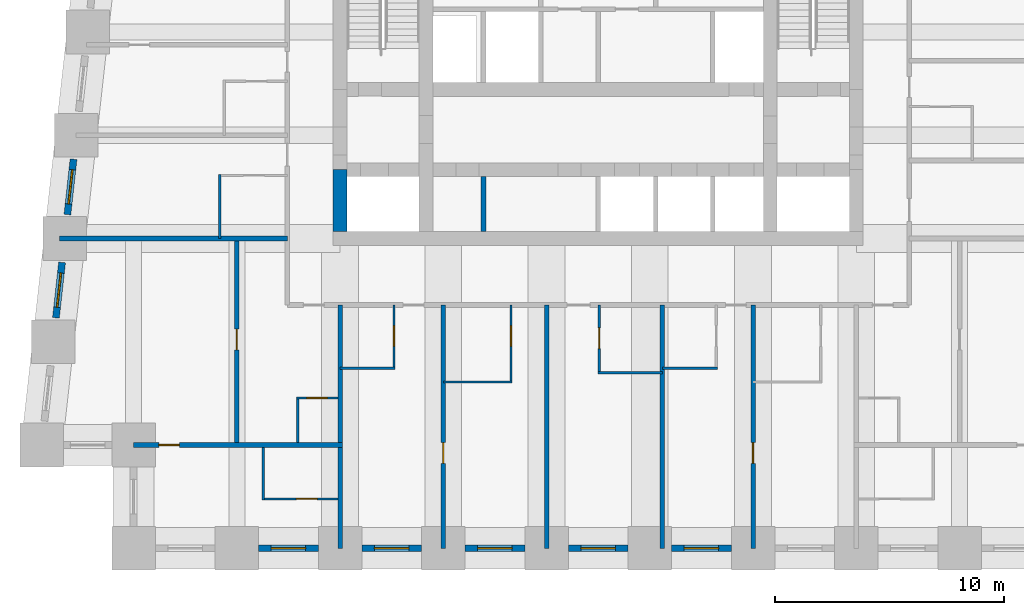
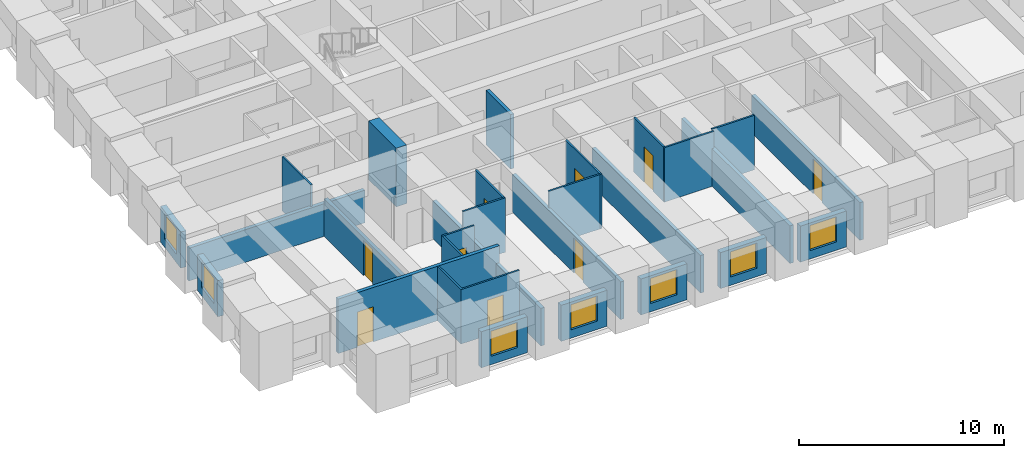
# One storey, part 2 of 8: 29 walls, 9 doors, 7 windows, 16 openings.
"""IFC4 building model written with IfcOpenShell, lengths in metres."""

from ifc_helpers import new_model, si_unit, direction, frame, frame_2d, origin, place, context, subcontext, project, spatial, rectangle, extrude, material, layer, layer_set, type_object, element, fill, save


model = new_model("IFC4")

# Units and contexts
model_context = context("Model", 3, precision=1e-05, world=origin(), true_north=direction((0.0, 1.0)))
body_context = subcontext(model_context, "Body", "Model", "MODEL_VIEW")
ifc_project = project(units=[si_unit("LENGTHUNIT", "METRE"), si_unit("AREAUNIT", "SQUARE_METRE"), si_unit("VOLUMEUNIT", "CUBIC_METRE"), si_unit("PLANEANGLEUNIT", "RADIAN"), si_unit("MASSUNIT", "GRAM", prefix="KILO")], contexts=[model_context])

# Site, building, storey
site_placement = place(None, origin())
site = spatial("IfcSite", under=ifc_project, at=site_placement, CompositionType="ELEMENT")
building_placement = place(site_placement, origin())
building = spatial("IfcBuilding", under=site, at=building_placement, Name="Kilele Tower Hotel", CompositionType="ELEMENT")
storey_placement = place(building_placement, frame((0.0, 0.0, 89.89990234375)))
storey = spatial("IfcBuildingStorey", under=building, at=storey_placement, Name="L22", CompositionType="ELEMENT", Elevation=89.89990234375)

# Wall
ifc_material_1 = material(Name="Moisture-resistant board")
ifc_layer_1 = layer(ifc_material_1, 0.10009765625)
ifc_layer_set_1 = layer_set([ifc_layer_1], Name="Moisture-resistant board")
wall_type_1 = type_object("IfcWallType", Name="Bathroom partition 100", PredefinedType="PLUMBINGWALL", material=ifc_layer_set_1)
wall_1_placement = place(storey_placement, frame((13.5, 7.85009765625, 0.0), z_axis=(0.0, 0.0, 1.0), x_axis=(1.0, 0.0, 0.0)))
element("IfcWall", 1, at=wall_1_placement, inside=storey, type_object=wall_type_1, Name="Bathroom partition 100 L22", PredefinedType="PLUMBINGWALL", context=body_context, shape_type="SweptSolid", body=[
    extrude(rectangle(XDim=2.39990234375, YDim=0.10009765625, at=frame_2d((1.199951171875, 0.0))), origin(), (0.0, 0.0, 1.0), 3.25),
])

# Wall, opening, door
wall_2_placement = place(storey_placement, frame((15.85009765625, 10.60009765625, 0.0), z_axis=(0.0, 0.0, 1.0), x_axis=(0.0, -1.0, 0.0)))
wall_2 = element("IfcWall", 2, at=wall_2_placement, inside=storey, type_object=wall_type_1, Name="Bathroom partition 100 L22", PredefinedType="PLUMBINGWALL", context=body_context, shape_type="SweptSolid", body=[
    extrude(rectangle(XDim=2.800048828125, YDim=0.10009765625, at=frame_2d((1.39990234375, 0.0))), origin(), (0.0, 0.0, 1.0), 3.25),
])
opening_1_placement = place(wall_2_placement, frame((0.89990234375, 0.0, 0.0)))
opening_1 = element("IfcOpeningElement", 3, at=opening_1_placement, cuts=wall_2, Name="Opening D2A", PredefinedType="OPENING", context=body_context, shape_type="SweptSolid", body=[
    extrude(rectangle(XDim=0.89990234375, YDim=2.10009765625, at=frame_2d((0.449951171875, 1.050048828125))), frame((0.0, 0.06005859375, 0.0), z_axis=(0.0, -1.0, 0.0), x_axis=(1.0, 0.0, 0.0)), (0.0, 0.0, 1.0), 0.1201171875),
])
ifc_material_2 = material(Name="Timber door leaf in hardwood frame", Category="wood")
door_type_1 = type_object("IfcDoorType", Name="Bathroom door 900", OperationType="SINGLE_SWING_LEFT", PredefinedType="DOOR", material=ifc_material_2)
door_1_placement = place(opening_1_placement, origin())
door_1 = element("IfcDoor", 4, at=door_1_placement, inside=storey, type_object=door_type_1, Name="Bathroom door 2201B", OperationType="SINGLE_SWING_LEFT", OverallHeight=2.10009765625, OverallWidth=0.89990234375, PredefinedType="DOOR", context=body_context, shape_type="SweptSolid", body=[
    extrude(rectangle(XDim=0.89990234375, YDim=2.10009765625, at=frame_2d((0.449951171875, 1.050048828125))), frame((0.0, 0.02490234375, 0.0), z_axis=(0.0, -1.0, 0.0), x_axis=(1.0, 0.0, 0.0)), (0.0, 0.0, 1.0), 0.050048828125),
])
fill(opening_1, door_1)

# Wall
wall_3_placement = place(storey_placement, frame((18.0, 7.25, 0.0), z_axis=(0.0, 0.0, 1.0), x_axis=(1.0, 0.0, 0.0)))
element("IfcWall", 5, at=wall_3_placement, inside=storey, type_object=wall_type_1, Name="Bathroom partition 100 L22", PredefinedType="PLUMBINGWALL", context=body_context, shape_type="SweptSolid", body=[
    extrude(rectangle(XDim=3.0, YDim=0.10009765625, at=frame_2d((1.5, 0.0))), origin(), (0.0, 0.0, 1.0), 3.25),
])

# Wall, opening, door
wall_4_placement = place(storey_placement, frame((20.949951171875, 10.60009765625, 0.0), z_axis=(0.0, 0.0, 1.0), x_axis=(0.0, -1.0, 0.0)))
wall_4 = element("IfcWall", 6, at=wall_4_placement, inside=storey, type_object=wall_type_1, Name="Bathroom partition 100 L22", PredefinedType="PLUMBINGWALL", context=body_context, shape_type="SweptSolid", body=[
    extrude(rectangle(XDim=3.400146484375, YDim=0.10009765625, at=frame_2d((1.7001953125, 0.0))), origin(), (0.0, 0.0, 1.0), 3.25),
])
opening_2_placement = place(wall_4_placement, frame((0.89990234375, 0.0, 0.0)))
opening_2 = element("IfcOpeningElement", 7, at=opening_2_placement, cuts=wall_4, Name="Opening D2A", PredefinedType="OPENING", context=body_context, shape_type="SweptSolid", body=[
    extrude(rectangle(XDim=0.89990234375, YDim=2.10009765625, at=frame_2d((0.449951171875, 1.050048828125))), frame((0.0, 0.06005859375, 0.0), z_axis=(0.0, -1.0, 0.0), x_axis=(1.0, 0.0, 0.0)), (0.0, 0.0, 1.0), 0.1201171875),
])
door_2_placement = place(opening_2_placement, origin())
door_2 = element("IfcDoor", 8, at=door_2_placement, inside=storey, type_object=door_type_1, Name="Bathroom door 2202B", OperationType="SINGLE_SWING_LEFT", OverallHeight=2.10009765625, OverallWidth=0.89990234375, PredefinedType="DOOR", context=body_context, shape_type="SweptSolid", body=[
    extrude(rectangle(XDim=0.89990234375, YDim=2.10009765625, at=frame_2d((0.449951171875, 1.050048828125))), frame((0.0, 0.02490234375, 0.0), z_axis=(0.0, -1.0, 0.0), x_axis=(1.0, 0.0, 0.0)), (0.0, 0.0, 1.0), 0.050048828125),
])
fill(opening_2, door_2)

# Wall
wall_5_placement = place(storey_placement, frame((24.75, 7.64990234375, 0.0), z_axis=(0.0, 0.0, 1.0), x_axis=(1.0, 0.0, 0.0)))
element("IfcWall", 9, at=wall_5_placement, inside=storey, type_object=wall_type_1, Name="Bathroom partition 100 L22", PredefinedType="PLUMBINGWALL", context=body_context, shape_type="SweptSolid", body=[
    extrude(rectangle(XDim=2.800048828125, YDim=0.10009765625, at=frame_2d((1.39990234375, 0.0))), origin(), (0.0, 0.0, 1.0), 3.25),
])

# Wall, opening, door
wall_6_placement = place(storey_placement, frame((24.800048828125, 10.60009765625, 0.0), z_axis=(0.0, 0.0, 1.0), x_axis=(0.0, -1.0, 0.0)))
wall_6 = element("IfcWall", 10, at=wall_6_placement, inside=storey, type_object=wall_type_1, Name="Bathroom partition 100 L22", PredefinedType="PLUMBINGWALL", context=body_context, shape_type="SweptSolid", body=[
    extrude(rectangle(XDim=3.0, YDim=0.10009765625, at=frame_2d((1.5, 0.0))), origin(), (0.0, 0.0, 1.0), 3.25),
])
opening_3_placement = place(wall_6_placement, frame((1.89990234375, 0.0, 0.0), z_axis=(0.0, 0.0, 1.0), x_axis=(-1.0, 0.0, 0.0)))
opening_3 = element("IfcOpeningElement", 11, at=opening_3_placement, cuts=wall_6, Name="Opening D2A", PredefinedType="OPENING", context=body_context, shape_type="SweptSolid", body=[
    extrude(rectangle(XDim=0.89990234375, YDim=2.10009765625, at=frame_2d((0.449951171875, 1.050048828125))), frame((0.0, 0.06005859375, 0.0), z_axis=(0.0, -1.0, 0.0), x_axis=(1.0, 0.0, 0.0)), (0.0, 0.0, 1.0), 0.1201171875),
])
door_3_placement = place(opening_3_placement, origin())
door_3 = element("IfcDoor", 12, at=door_3_placement, inside=storey, type_object=door_type_1, Name="Bathroom door 2203B", OperationType="SINGLE_SWING_RIGHT", OverallHeight=2.10009765625, OverallWidth=0.89990234375, PredefinedType="DOOR", context=body_context, shape_type="SweptSolid", body=[
    extrude(rectangle(XDim=0.89990234375, YDim=2.10009765625, at=frame_2d((0.449951171875, 1.050048828125))), frame((0.0, 0.02490234375, 0.0), z_axis=(0.0, -1.0, 0.0), x_axis=(1.0, 0.0, 0.0)), (0.0, 0.0, 1.0), 0.050048828125),
])
fill(opening_3, door_3)

# Walls
wall_7_placement = place(storey_placement, frame((27.550048828125, 7.85009765625, 0.0), z_axis=(0.0, 0.0, 1.0), x_axis=(1.0, 0.0, 0.0)))
element("IfcWall", 13, at=wall_7_placement, inside=storey, type_object=wall_type_1, Name="Bathroom partition 100 L22", PredefinedType="PLUMBINGWALL", context=body_context, shape_type="SweptSolid", body=[
    extrude(rectangle(XDim=2.39990234375, YDim=0.10009765625, at=frame_2d((1.199951171875, 0.0))), origin(), (0.0, 0.0, 1.0), 3.25),
])
wall_8_placement = place(storey_placement, frame((8.25, 13.5, 0.0), z_axis=(0.0, 0.0, 1.0), x_axis=(0.0, 1.0, 0.0)))
element("IfcWall", 14, at=wall_8_placement, inside=storey, type_object=wall_type_1, Name="Bathroom partition 100 L22", PredefinedType="PLUMBINGWALL", context=body_context, shape_type="SweptSolid", body=[
    extrude(rectangle(XDim=2.800048828125, YDim=0.10009765625, at=frame_2d((1.39990234375, 0.0))), origin(), (0.0, 0.0, 1.0), 3.25),
])
wall_9_placement = place(storey_placement, frame((11.64990234375, 4.60009765625, 0.0), z_axis=(0.0, 0.0, 1.0), x_axis=(0.0, 1.0, 0.0)))
element("IfcWall", 15, at=wall_9_placement, inside=storey, type_object=wall_type_1, Name="Bathroom partition 100 L22", PredefinedType="PLUMBINGWALL", context=body_context, shape_type="SweptSolid", body=[
    extrude(rectangle(XDim=2.0, YDim=0.10009765625, at=frame_2d((1.0, 0.0))), origin(), (0.0, 0.0, 1.0), 3.25),
])

# Wall, opening, door
wall_10_placement = place(storey_placement, frame((13.39990234375, 6.550048828125, 0.0), z_axis=(0.0, 0.0, 1.0), x_axis=(-1.0, 0.0, 0.0)))
wall_10 = element("IfcWall", 16, at=wall_10_placement, inside=storey, type_object=wall_type_1, Name="Bathroom partition 100 L22", PredefinedType="PLUMBINGWALL", context=body_context, shape_type="SweptSolid", body=[
    extrude(rectangle(XDim=1.7998046875, YDim=0.10009765625, at=frame_2d((0.89990234375, 0.0))), origin(), (0.0, 0.0, 1.0), 3.25),
])
opening_4_placement = place(wall_10_placement, frame((1.349853515625, 0.0, 0.0), z_axis=(0.0, 0.0, 1.0), x_axis=(-1.0, 0.0, 0.0)))
opening_4 = element("IfcOpeningElement", 17, at=opening_4_placement, cuts=wall_10, Name="Opening D2A", PredefinedType="OPENING", context=body_context, shape_type="SweptSolid", body=[
    extrude(rectangle(XDim=0.89990234375, YDim=2.10009765625, at=frame_2d((0.449951171875, 1.050048828125))), frame((0.0, 0.06005859375, 0.0), z_axis=(0.0, -1.0, 0.0), x_axis=(1.0, 0.0, 0.0)), (0.0, 0.0, 1.0), 0.1201171875),
])
door_4_placement = place(opening_4_placement, origin())
door_4 = element("IfcDoor", 18, at=door_4_placement, inside=storey, type_object=door_type_1, Name="Bathroom door 2217P", OperationType="SINGLE_SWING_RIGHT", OverallHeight=2.10009765625, OverallWidth=0.89990234375, PredefinedType="DOOR", context=body_context, shape_type="SweptSolid", body=[
    extrude(rectangle(XDim=0.89990234375, YDim=2.10009765625, at=frame_2d((0.449951171875, 1.050048828125))), frame((0.0, 0.02490234375, 0.0), z_axis=(0.0, -1.0, 0.0), x_axis=(1.0, 0.0, 0.0)), (0.0, 0.0, 1.0), 0.050048828125),
])
fill(opening_4, door_4)

# Wall
wall_11_placement = place(storey_placement, frame((10.14990234375, 4.39990234375, 0.0), z_axis=(0.0, 0.0, 1.0), x_axis=(0.0, -1.0, 0.0)))
element("IfcWall", 19, at=wall_11_placement, inside=storey, type_object=wall_type_1, Name="Bathroom partition 100 L22", PredefinedType="PLUMBINGWALL", context=body_context, shape_type="SweptSolid", body=[
    extrude(rectangle(XDim=2.2998046875, YDim=0.10009765625, at=frame_2d((1.14990234375, 0.0))), origin(), (0.0, 0.0, 1.0), 3.25),
])

# Wall, opening, door
wall_12_placement = place(storey_placement, frame((13.39990234375, 2.14990234375, 0.0), z_axis=(0.0, 0.0, 1.0), x_axis=(-1.0, 0.0, 0.0)))
wall_12 = element("IfcWall", 20, at=wall_12_placement, inside=storey, type_object=wall_type_1, Name="Bathroom partition 100 L22", PredefinedType="PLUMBINGWALL", context=body_context, shape_type="SweptSolid", body=[
    extrude(rectangle(XDim=3.2998046875, YDim=0.10009765625, at=frame_2d((1.64990234375, 0.0))), origin(), (0.0, 0.0, 1.0), 3.25),
])
opening_5_placement = place(wall_12_placement, frame((0.89990234375, 0.0, 0.0)))
opening_5 = element("IfcOpeningElement", 21, at=opening_5_placement, cuts=wall_12, Name="Opening D2A", PredefinedType="OPENING", context=body_context, shape_type="SweptSolid", body=[
    extrude(rectangle(XDim=0.89990234375, YDim=2.10009765625, at=frame_2d((0.449951171875, 1.050048828125))), frame((0.0, 0.06005859375, 0.0), z_axis=(0.0, -1.0, 0.0), x_axis=(1.0, 0.0, 0.0)), (0.0, 0.0, 1.0), 0.1201171875),
])
door_5_placement = place(opening_5_placement, origin())
door_5 = element("IfcDoor", 22, at=door_5_placement, inside=storey, type_object=door_type_1, Name="Bathroom door 2219B", OperationType="SINGLE_SWING_LEFT", OverallHeight=2.10009765625, OverallWidth=0.89990234375, PredefinedType="DOOR", context=body_context, shape_type="SweptSolid", body=[
    extrude(rectangle(XDim=0.89990234375, YDim=2.10009765625, at=frame_2d((0.449951171875, 1.050048828125))), frame((0.0, 0.02490234375, 0.0), z_axis=(0.0, -1.0, 0.0), x_axis=(1.0, 0.0, 0.0)), (0.0, 0.0, 1.0), 0.050048828125),
])
fill(opening_5, door_5)

# Wall
ifc_material_3 = material(Name="Concrete C60/75", Category="concrete")
ifc_layer_2 = layer(ifc_material_3, 0.60009765625)
ifc_layer_set_2 = layer_set([ifc_layer_2], Name="Concrete C60/75")
wall_type_2 = type_object("IfcWallType", Name="Core wall 600 C60/75", PredefinedType="SHEAR", material=ifc_layer_set_2)
wall_13_placement = place(storey_placement, frame((13.5, 16.5, 0.0), z_axis=(0.0, 0.0, 1.0), x_axis=(0.0, -1.0, 0.0)))
element("IfcWall", 23, at=wall_13_placement, inside=storey, type_object=wall_type_2, Name="Core wall W3 L22", PredefinedType="SHEAR", context=body_context, shape_type="SweptSolid", body=[
    extrude(rectangle(XDim=2.699951171875, YDim=0.60009765625, at=frame_2d((1.35009765625, 0.0))), origin(), (0.0, 0.0, 1.0), 3.5),
])

# Wall, opening, door
ifc_material_4 = material(Name="Blockwork, plastered both sides", Category="masonry")
ifc_layer_3 = layer(ifc_material_4, 0.199951171875)
ifc_layer_set_3 = layer_set([ifc_layer_3], Name="Blockwork, plastered both sides")
wall_type_3 = type_object("IfcWallType", Name="Partition wall 200", PredefinedType="PARTITIONING", material=ifc_layer_set_3)
wall_14_placement = place(storey_placement, frame((9.0, 4.60009765625, 0.0), z_axis=(0.0, 0.0, 1.0), x_axis=(0.0, 1.0, 0.0)))
wall_14 = element("IfcWall", 24, at=wall_14_placement, inside=storey, type_object=wall_type_3, Name="Partition wall 200 L22", PredefinedType="PARTITIONING", context=body_context, shape_type="SweptSolid", body=[
    extrude(rectangle(XDim=8.7998046875, YDim=0.199951171875, at=frame_2d((4.39990234375, 0.0))), origin(), (0.0, 0.0, 1.0), 2.25),
])
opening_6_placement = place(wall_14_placement, frame((4.050048828125, 0.0, 0.0)))
opening_6 = element("IfcOpeningElement", 25, at=opening_6_placement, cuts=wall_14, Name="Opening D3", PredefinedType="OPENING", context=body_context, shape_type="SweptSolid", body=[
    extrude(rectangle(XDim=0.89990234375, YDim=2.10009765625, at=frame_2d((0.449951171875, 1.050048828125))), frame((0.0, 0.10986328125, 0.0), z_axis=(0.0, -1.0, 0.0), x_axis=(1.0, 0.0, 0.0)), (0.0, 0.0, 1.0), 0.219970703125),
])
ifc_material_5 = material(Name="Timber door leaf in hardwood frame", Category="wood")
door_type_2 = type_object("IfcDoorType", Name="Suite internal door 900", OperationType="SINGLE_SWING_LEFT", PredefinedType="DOOR", material=ifc_material_5)
door_6_placement = place(opening_6_placement, origin())
door_6 = element("IfcDoor", 26, at=door_6_placement, inside=storey, type_object=door_type_2, Name="Suite door 2218", OperationType="SINGLE_SWING_RIGHT", OverallHeight=2.10009765625, OverallWidth=0.89990234375, PredefinedType="DOOR", context=body_context, shape_type="SweptSolid", body=[
    extrude(rectangle(XDim=0.89990234375, YDim=2.10009765625, at=frame_2d((0.449951171875, 1.050048828125))), frame((0.0, 0.02490234375, 0.0), z_axis=(0.0, -1.0, 0.0), x_axis=(1.0, 0.0, 0.0)), (0.0, 0.0, 1.0), 0.050048828125),
])
fill(opening_6, door_6)

ifc_material_6 = material(Name="Blockwork, plastered both sides", Category="masonry")
ifc_layer_4 = layer(ifc_material_6, 0.199951171875)
ifc_layer_set_4 = layer_set([ifc_layer_4], Name="Blockwork, plastered both sides")
wall_type_4 = type_object("IfcWallType", Name="Party wall 200", PredefinedType="PARTITIONING", material=ifc_layer_set_4)
wall_15_placement = place(storey_placement, frame((18.0, 10.60009765625, 0.0), z_axis=(0.0, 0.0, 1.0), x_axis=(0.0, -1.0, 0.0)))
wall_15 = element("IfcWall", 27, at=wall_15_placement, inside=storey, type_object=wall_type_4, Name="Party wall 200 L22", PredefinedType="PARTITIONING", context=body_context, shape_type="SweptSolid", body=[
    extrude(rectangle(XDim=10.60009765625, YDim=0.199951171875, at=frame_2d((5.300048828125, 0.0))), origin(), (0.0, 0.0, 1.0), 2.25),
])
opening_7_placement = place(wall_15_placement, frame((6.0, 0.0, 0.0)))
opening_7 = element("IfcOpeningElement", 28, at=opening_7_placement, cuts=wall_15, Name="Opening D3", PredefinedType="OPENING", context=body_context, shape_type="SweptSolid", body=[
    extrude(rectangle(XDim=0.89990234375, YDim=2.10009765625, at=frame_2d((0.449951171875, 1.050048828125))), frame((0.0, 0.10986328125, 0.0), z_axis=(0.0, -1.0, 0.0), x_axis=(1.0, 0.0, 0.0)), (0.0, 0.0, 1.0), 0.219970703125),
])
door_7_placement = place(opening_7_placement, origin())
door_7 = element("IfcDoor", 29, at=door_7_placement, inside=storey, type_object=door_type_2, Name="Suite door 2202", OperationType="SINGLE_SWING_RIGHT", OverallHeight=2.10009765625, OverallWidth=0.89990234375, PredefinedType="DOOR", context=body_context, shape_type="SweptSolid", body=[
    extrude(rectangle(XDim=0.89990234375, YDim=2.10009765625, at=frame_2d((0.449951171875, 1.050048828125))), frame((0.0, 0.02490234375, 0.0), z_axis=(0.0, -1.0, 0.0), x_axis=(1.0, 0.0, 0.0)), (0.0, 0.0, 1.0), 0.050048828125),
])
fill(opening_7, door_7)

# Walls
for number, where, z_axis, x_axis, name in (
    (30, (22.5, 10.60009765625, 0.0), (0.0, 0.0, 1.0), (0.0, -1.0, 0.0), "Party wall 200 L22"),
    (31, (27.550048828125, 10.60009765625, 0.0), (0.0, 0.0, 1.0), (0.0, -1.0, 0.0), "Party wall 200 L22"),
):
    element("IfcWall", number, at=place(storey_placement, frame(where, z_axis=z_axis, x_axis=x_axis)), inside=storey, type_object=wall_type_4, Name=name, PredefinedType="PARTITIONING", context=body_context, shape_type="SweptSolid", body=[
        extrude(rectangle(XDim=10.60009765625, YDim=0.199951171875, at=frame_2d((5.300048828125, 0.0))), origin(), (0.0, 0.0, 1.0), 2.25),
    ])

# Wall, opening, door
wall_16_placement = place(storey_placement, frame((31.5, 10.60009765625, 0.0), z_axis=(0.0, 0.0, 1.0), x_axis=(0.0, -1.0, 0.0)))
wall_16 = element("IfcWall", 32, at=wall_16_placement, inside=storey, type_object=wall_type_4, Name="Party wall 200 L22", PredefinedType="PARTITIONING", context=body_context, shape_type="SweptSolid", body=[
    extrude(rectangle(XDim=10.60009765625, YDim=0.199951171875, at=frame_2d((5.300048828125, 0.0))), origin(), (0.0, 0.0, 1.0), 2.25),
])
opening_8_placement = place(wall_16_placement, frame((6.0, 0.0, 0.0)))
opening_8 = element("IfcOpeningElement", 33, at=opening_8_placement, cuts=wall_16, Name="Opening D3", PredefinedType="OPENING", context=body_context, shape_type="SweptSolid", body=[
    extrude(rectangle(XDim=0.89990234375, YDim=2.10009765625, at=frame_2d((0.449951171875, 1.050048828125))), frame((0.0, 0.10986328125, 0.0), z_axis=(0.0, -1.0, 0.0), x_axis=(1.0, 0.0, 0.0)), (0.0, 0.0, 1.0), 0.219970703125),
])
door_8_placement = place(opening_8_placement, origin())
door_8 = element("IfcDoor", 34, at=door_8_placement, inside=storey, type_object=door_type_2, Name="Suite door 2205", OperationType="SINGLE_SWING_RIGHT", OverallHeight=2.10009765625, OverallWidth=0.89990234375, PredefinedType="DOOR", context=body_context, shape_type="SweptSolid", body=[
    extrude(rectangle(XDim=0.89990234375, YDim=2.10009765625, at=frame_2d((0.449951171875, 1.050048828125))), frame((0.0, 0.02490234375, 0.0), z_axis=(0.0, -1.0, 0.0), x_axis=(1.0, 0.0, 0.0)), (0.0, 0.0, 1.0), 0.050048828125),
])
fill(opening_8, door_8)

# Walls
wall_17_placement = place(storey_placement, frame((11.199951171875, 13.5, 0.0), z_axis=(0.0, 0.0, 1.0), x_axis=(-1.0, 0.0, 0.0)))
element("IfcWall", 35, at=wall_17_placement, inside=storey, type_object=wall_type_4, Name="Party wall 200 L22", PredefinedType="PARTITIONING", context=body_context, shape_type="SweptSolid", body=[
    extrude(rectangle(XDim=9.921142578125, YDim=0.199951171875, at=frame_2d((4.96044921875, 0.0))), origin(), (0.0, 0.0, 1.0), 1.9501953125),
])
wall_18_placement = place(storey_placement, frame((13.5, 10.60009765625, 0.0), z_axis=(0.0, 0.0, 1.0), x_axis=(0.0, -1.0, 0.0)))
element("IfcWall", 36, at=wall_18_placement, inside=storey, type_object=wall_type_4, Name="Party wall 200 L22", PredefinedType="PARTITIONING", context=body_context, shape_type="SweptSolid", body=[
    extrude(rectangle(XDim=10.60009765625, YDim=0.199951171875, at=frame_2d((5.300048828125, 0.0))), origin(), (0.0, 0.0, 1.0), 2.25),
])

# Wall, opening, door
wall_19_placement = place(storey_placement, frame((13.60009765625, 4.5, 0.0), z_axis=(0.0, 0.0, 1.0), x_axis=(-1.0, 0.0, 0.0)))
wall_19 = element("IfcWall", 37, at=wall_19_placement, inside=storey, type_object=wall_type_4, Name="Party wall 200 L22", PredefinedType="PARTITIONING", context=body_context, shape_type="SweptSolid", body=[
    extrude(rectangle(XDim=9.10009765625, YDim=0.199951171875, at=frame_2d((4.550048828125, 0.0))), origin(), (0.0, 0.0, 1.0), 3.25),
])
opening_9_placement = place(wall_19_placement, frame((7.10009765625, 0.0, 0.0)))
opening_9 = element("IfcOpeningElement", 38, at=opening_9_placement, cuts=wall_19, Name="Opening D3", PredefinedType="OPENING", context=body_context, shape_type="SweptSolid", body=[
    extrude(rectangle(XDim=0.89990234375, YDim=2.10009765625, at=frame_2d((0.449951171875, 1.050048828125))), frame((0.0, 0.10986328125, 0.0), z_axis=(0.0, -1.0, 0.0), x_axis=(1.0, 0.0, 0.0)), (0.0, 0.0, 1.0), 0.219970703125),
])
door_9_placement = place(opening_9_placement, origin())
door_9 = element("IfcDoor", 39, at=door_9_placement, inside=storey, type_object=door_type_2, Name="Suite door 2219", OperationType="SINGLE_SWING_RIGHT", OverallHeight=2.10009765625, OverallWidth=0.89990234375, PredefinedType="DOOR", context=body_context, shape_type="SweptSolid", body=[
    extrude(rectangle(XDim=0.89990234375, YDim=2.10009765625, at=frame_2d((0.449951171875, 1.050048828125))), frame((0.0, 0.02490234375, 0.0), z_axis=(0.0, -1.0, 0.0), x_axis=(1.0, 0.0, 0.0)), (0.0, 0.0, 1.0), 0.050048828125),
])
fill(opening_9, door_9)

# Wall, opening, window
ifc_material_7 = material(Name="Concrete C40/50 precast", Category="concrete")
ifc_layer_5 = layer(ifc_material_7, 0.260009765625, Name="Precast backing", Category="LoadBearing")
ifc_material_8 = material(Name="Reconstituted stone finish", Category="masonry")
ifc_layer_6 = layer(ifc_material_8, 0.0400390625, Name="Face mix", Category="Finish")
ifc_layer_set_5 = layer_set([ifc_layer_5, ifc_layer_6], Name="Precast concrete C40/50, reconstituted stone finish")
wall_type_5 = type_object("IfcWallType", Name="Precast stone facade wall 300", PredefinedType="STANDARD", material=ifc_layer_set_5)
wall_20_placement = place(storey_placement, frame((9.949951171875, 0.0, 0.0), z_axis=(0.0, 0.0, 1.0), x_axis=(1.0, 0.0, 0.0)))
wall_20 = element("IfcWall", 40, at=wall_20_placement, inside=storey, type_object=wall_type_5, Name="Facade wall L22 edge 3 bay 2", PredefinedType="STANDARD", context=body_context, shape_type="SweptSolid", body=[
    extrude(rectangle(XDim=2.60009765625, YDim=0.300048828125, at=frame_2d((1.300048828125, 0.0))), origin(), (0.0, 0.0, 1.0), 2.150146484375),
])
opening_10_placement = place(wall_20_placement, frame((0.550048828125, 0.0, 0.5)))
opening_10 = element("IfcOpeningElement", 41, at=opening_10_placement, cuts=wall_20, Name="Opening W2", PredefinedType="OPENING", context=body_context, shape_type="SweptSolid", body=[
    extrude(rectangle(XDim=1.5, YDim=1.5, at=frame_2d((0.75, 0.75))), frame((0.0, 0.159912109375, 0.0), z_axis=(0.0, -1.0, 0.0), x_axis=(1.0, 0.0, 0.0)), (0.0, 0.0, 1.0), 0.320068359375),
])
ifc_material_9 = material(Name="Aluminium frame, clear double glazing", Category="aluminium")
window_type = type_object("IfcWindowType", Name="Window W2 1500 x 1500", PartitioningType="SINGLE_PANEL", PredefinedType="WINDOW", material=ifc_material_9)
window_1_placement = place(opening_10_placement, origin())
window_1 = element("IfcWindow", 42, at=window_1_placement, inside=storey, type_object=window_type, Name="Window L22", OverallHeight=1.5, OverallWidth=1.5, PartitioningType="SINGLE_PANEL", PredefinedType="WINDOW", context=body_context, shape_type="SweptSolid", body=[
    extrude(rectangle(XDim=1.5, YDim=1.5, at=frame_2d((0.75, 0.75))), frame((0.0, 0.030029296875, 0.0), z_axis=(0.0, -1.0, 0.0), x_axis=(1.0, 0.0, 0.0)), (0.0, 0.0, 1.0), 0.06005859375),
])
fill(opening_10, window_1)

wall_21_placement = place(storey_placement, frame((14.449951171875, 0.0, 0.0), z_axis=(0.0, 0.0, 1.0), x_axis=(1.0, 0.0, 0.0)))
wall_21 = element("IfcWall", 43, at=wall_21_placement, inside=storey, type_object=wall_type_5, Name="Facade wall L22 edge 3 bay 3", PredefinedType="STANDARD", context=body_context, shape_type="SweptSolid", body=[
    extrude(rectangle(XDim=2.60009765625, YDim=0.300048828125, at=frame_2d((1.300048828125, 0.0))), origin(), (0.0, 0.0, 1.0), 2.150146484375),
])
opening_11_placement = place(wall_21_placement, frame((0.550048828125, 0.0, 0.5)))
opening_11 = element("IfcOpeningElement", 44, at=opening_11_placement, cuts=wall_21, Name="Opening W2", PredefinedType="OPENING", context=body_context, shape_type="SweptSolid", body=[
    extrude(rectangle(XDim=1.5, YDim=1.5, at=frame_2d((0.75, 0.75))), frame((0.0, 0.159912109375, 0.0), z_axis=(0.0, -1.0, 0.0), x_axis=(1.0, 0.0, 0.0)), (0.0, 0.0, 1.0), 0.320068359375),
])
window_2_placement = place(opening_11_placement, origin())
window_2 = element("IfcWindow", 45, at=window_2_placement, inside=storey, type_object=window_type, Name="Window L22", OverallHeight=1.5, OverallWidth=1.5, PartitioningType="SINGLE_PANEL", PredefinedType="WINDOW", context=body_context, shape_type="SweptSolid", body=[
    extrude(rectangle(XDim=1.5, YDim=1.5, at=frame_2d((0.75, 0.75))), frame((0.0, 0.030029296875, 0.0), z_axis=(0.0, -1.0, 0.0), x_axis=(1.0, 0.0, 0.0)), (0.0, 0.0, 1.0), 0.06005859375),
])
fill(opening_11, window_2)

wall_22_placement = place(storey_placement, frame((18.949951171875, 0.0, 0.0), z_axis=(0.0, 0.0, 1.0), x_axis=(1.0, 0.0, 0.0)))
wall_22 = element("IfcWall", 46, at=wall_22_placement, inside=storey, type_object=wall_type_5, Name="Facade wall L22 edge 3 bay 4", PredefinedType="STANDARD", context=body_context, shape_type="SweptSolid", body=[
    extrude(rectangle(XDim=2.60009765625, YDim=0.300048828125, at=frame_2d((1.300048828125, 0.0))), origin(), (0.0, 0.0, 1.0), 2.150146484375),
])
opening_12_placement = place(wall_22_placement, frame((0.550048828125, 0.0, 0.5)))
opening_12 = element("IfcOpeningElement", 47, at=opening_12_placement, cuts=wall_22, Name="Opening W2", PredefinedType="OPENING", context=body_context, shape_type="SweptSolid", body=[
    extrude(rectangle(XDim=1.5, YDim=1.5, at=frame_2d((0.75, 0.75))), frame((0.0, 0.159912109375, 0.0), z_axis=(0.0, -1.0, 0.0), x_axis=(1.0, 0.0, 0.0)), (0.0, 0.0, 1.0), 0.320068359375),
])
window_3_placement = place(opening_12_placement, origin())
window_3 = element("IfcWindow", 48, at=window_3_placement, inside=storey, type_object=window_type, Name="Window L22", OverallHeight=1.5, OverallWidth=1.5, PartitioningType="SINGLE_PANEL", PredefinedType="WINDOW", context=body_context, shape_type="SweptSolid", body=[
    extrude(rectangle(XDim=1.5, YDim=1.5, at=frame_2d((0.75, 0.75))), frame((0.0, 0.030029296875, 0.0), z_axis=(0.0, -1.0, 0.0), x_axis=(1.0, 0.0, 0.0)), (0.0, 0.0, 1.0), 0.06005859375),
])
fill(opening_12, window_3)

wall_23_placement = place(storey_placement, frame((23.449951171875, 0.0, 0.0), z_axis=(0.0, 0.0, 1.0), x_axis=(1.0, 0.0, 0.0)))
wall_23 = element("IfcWall", 49, at=wall_23_placement, inside=storey, type_object=wall_type_5, Name="Facade wall L22 edge 3 bay 5", PredefinedType="STANDARD", context=body_context, shape_type="SweptSolid", body=[
    extrude(rectangle(XDim=2.60009765625, YDim=0.300048828125, at=frame_2d((1.300048828125, 0.0))), origin(), (0.0, 0.0, 1.0), 2.150146484375),
])
opening_13_placement = place(wall_23_placement, frame((0.550048828125, 0.0, 0.5)))
opening_13 = element("IfcOpeningElement", 50, at=opening_13_placement, cuts=wall_23, Name="Opening W2", PredefinedType="OPENING", context=body_context, shape_type="SweptSolid", body=[
    extrude(rectangle(XDim=1.5, YDim=1.5, at=frame_2d((0.75, 0.75))), frame((0.0, 0.159912109375, 0.0), z_axis=(0.0, -1.0, 0.0), x_axis=(1.0, 0.0, 0.0)), (0.0, 0.0, 1.0), 0.320068359375),
])
window_4_placement = place(opening_13_placement, origin())
window_4 = element("IfcWindow", 51, at=window_4_placement, inside=storey, type_object=window_type, Name="Window L22", OverallHeight=1.5, OverallWidth=1.5, PartitioningType="SINGLE_PANEL", PredefinedType="WINDOW", context=body_context, shape_type="SweptSolid", body=[
    extrude(rectangle(XDim=1.5, YDim=1.5, at=frame_2d((0.75, 0.75))), frame((0.0, 0.030029296875, 0.0), z_axis=(0.0, -1.0, 0.0), x_axis=(1.0, 0.0, 0.0)), (0.0, 0.0, 1.0), 0.06005859375),
])
fill(opening_13, window_4)

wall_24_placement = place(storey_placement, frame((27.949951171875, 0.0, 0.0), z_axis=(0.0, 0.0, 1.0), x_axis=(1.0, 0.0, 0.0)))
wall_24 = element("IfcWall", 52, at=wall_24_placement, inside=storey, type_object=wall_type_5, Name="Facade wall L22 edge 3 bay 6", PredefinedType="STANDARD", context=body_context, shape_type="SweptSolid", body=[
    extrude(rectangle(XDim=2.60009765625, YDim=0.300048828125, at=frame_2d((1.300048828125, 0.0))), origin(), (0.0, 0.0, 1.0), 2.150146484375),
])
opening_14_placement = place(wall_24_placement, frame((0.550048828125, 0.0, 0.5)))
opening_14 = element("IfcOpeningElement", 53, at=opening_14_placement, cuts=wall_24, Name="Opening W2", PredefinedType="OPENING", context=body_context, shape_type="SweptSolid", body=[
    extrude(rectangle(XDim=1.5, YDim=1.5, at=frame_2d((0.75, 0.75))), frame((0.0, 0.159912109375, 0.0), z_axis=(0.0, -1.0, 0.0), x_axis=(1.0, 0.0, 0.0)), (0.0, 0.0, 1.0), 0.320068359375),
])
window_5_placement = place(opening_14_placement, origin())
window_5 = element("IfcWindow", 54, at=window_5_placement, inside=storey, type_object=window_type, Name="Window L22", OverallHeight=1.5, OverallWidth=1.5, PartitioningType="SINGLE_PANEL", PredefinedType="WINDOW", context=body_context, shape_type="SweptSolid", body=[
    extrude(rectangle(XDim=1.5, YDim=1.5, at=frame_2d((0.75, 0.75))), frame((0.0, 0.030029296875, 0.0), z_axis=(0.0, -1.0, 0.0), x_axis=(1.0, 0.0, 0.0)), (0.0, 0.0, 1.0), 0.06005859375),
])
fill(opening_14, window_5)

wall_25_placement = place(storey_placement, frame((1.884033203125, 16.957275390625, 0.0), z_axis=(0.0, 0.0, 1.0), x_axis=(-0.110343286306, -0.993893535127, 0.0)))
wall_25 = element("IfcWall", 55, at=wall_25_placement, inside=storey, type_object=wall_type_5, Name="Facade wall L22 edge 12 bay 5", PredefinedType="STANDARD", context=body_context, shape_type="SweptSolid", body=[
    extrude(rectangle(XDim=2.429443359375, YDim=0.300048828125, at=frame_2d((1.21484375, 0.0))), origin(), (0.0, 0.0, 1.0), 2.150146484375),
])
opening_15_placement = place(wall_25_placement, frame((0.465087890625, 0.0, 0.5)))
opening_15 = element("IfcOpeningElement", 56, at=opening_15_placement, cuts=wall_25, Name="Opening W2", PredefinedType="OPENING", context=body_context, shape_type="SweptSolid", body=[
    extrude(rectangle(XDim=1.5, YDim=1.5, at=frame_2d((0.75, 0.75))), frame((0.0, 0.159912109375, 0.0), z_axis=(0.0, -1.0, 0.0), x_axis=(1.0, 0.0, 0.0)), (0.0, 0.0, 1.0), 0.320068359375),
])
window_6_placement = place(opening_15_placement, origin())
window_6 = element("IfcWindow", 57, at=window_6_placement, inside=storey, type_object=window_type, Name="Window L22", OverallHeight=1.5, OverallWidth=1.5, PartitioningType="SINGLE_PANEL", PredefinedType="WINDOW", context=body_context, shape_type="SweptSolid", body=[
    extrude(rectangle(XDim=1.5, YDim=1.5, at=frame_2d((0.75, 0.75))), frame((0.0, 0.030029296875, 0.0), z_axis=(0.0, -1.0, 0.0), x_axis=(1.0, 0.0, 0.0)), (0.0, 0.0, 1.0), 0.06005859375),
])
fill(opening_15, window_6)

wall_26_placement = place(storey_placement, frame((1.384033203125, 12.457275390625, 0.0), z_axis=(0.0, 0.0, 1.0), x_axis=(-0.110343286306, -0.993893535127, 0.0)))
wall_26 = element("IfcWall", 58, at=wall_26_placement, inside=storey, type_object=wall_type_5, Name="Facade wall L22 edge 12 bay 6", PredefinedType="STANDARD", context=body_context, shape_type="SweptSolid", body=[
    extrude(rectangle(XDim=2.429443359375, YDim=0.300048828125, at=frame_2d((1.21484375, 0.0))), origin(), (0.0, 0.0, 1.0), 2.150146484375),
])
opening_16_placement = place(wall_26_placement, frame((0.46435546875, 0.0, 0.5)))
opening_16 = element("IfcOpeningElement", 59, at=opening_16_placement, cuts=wall_26, Name="Opening W2", PredefinedType="OPENING", context=body_context, shape_type="SweptSolid", body=[
    extrude(rectangle(XDim=1.5, YDim=1.5, at=frame_2d((0.75, 0.75))), frame((0.0, 0.159912109375, 0.0), z_axis=(0.0, -1.0, 0.0), x_axis=(1.0, 0.0, 0.0)), (0.0, 0.0, 1.0), 0.320068359375),
])
window_7_placement = place(opening_16_placement, origin())
window_7 = element("IfcWindow", 60, at=window_7_placement, inside=storey, type_object=window_type, Name="Window L22", OverallHeight=1.5, OverallWidth=1.5, PartitioningType="SINGLE_PANEL", PredefinedType="WINDOW", context=body_context, shape_type="SweptSolid", body=[
    extrude(rectangle(XDim=1.5, YDim=1.5, at=frame_2d((0.75, 0.75))), frame((0.0, 0.030029296875, 0.0), z_axis=(0.0, -1.0, 0.0), x_axis=(1.0, 0.0, 0.0)), (0.0, 0.0, 1.0), 0.06005859375),
])
fill(opening_16, window_7)

# Wall
ifc_material_10 = material(Name="Blockwork, fire-rated", Category="masonry")
ifc_layer_7 = layer(ifc_material_10, 0.199951171875)
ifc_layer_set_6 = layer_set([ifc_layer_7], Name="Blockwork, fire-rated")
wall_type_6 = type_object("IfcWallType", Name="Shaft wall 200", PredefinedType="PARTITIONING", material=ifc_layer_set_6)
wall_27_placement = place(storey_placement, frame((19.75, 13.800048828125, 0.0), z_axis=(0.0, 0.0, 1.0), x_axis=(0.0, 1.0, 0.0)))
element("IfcWall", 61, at=wall_27_placement, inside=storey, type_object=wall_type_6, Name="Shaft wall 200 L22", PredefinedType="PARTITIONING", context=body_context, shape_type="SweptSolid", body=[
    extrude(rectangle(XDim=2.39990234375, YDim=0.199951171875, at=frame_2d((1.199951171875, 0.0))), origin(), (0.0, 0.0, 1.0), 3.25),
])

save(model, "model.ifc")
